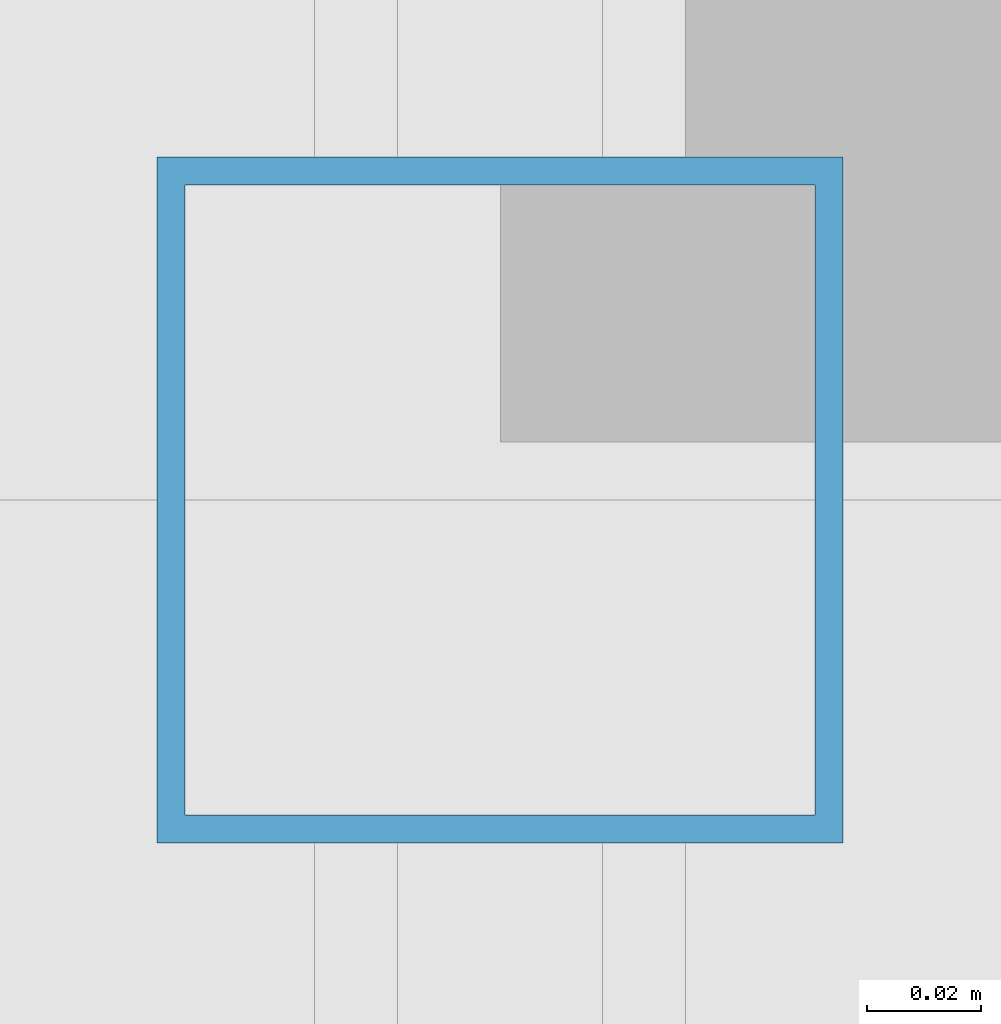
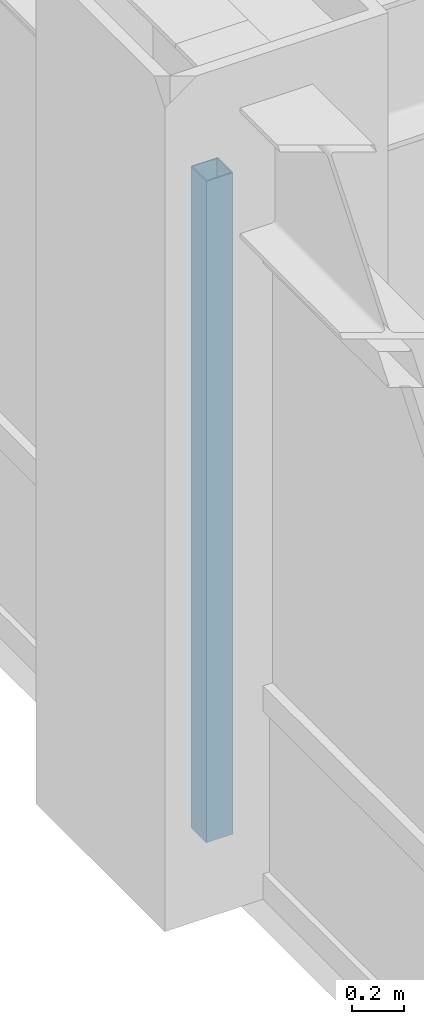
# One storey, part 6 of 25: 1 member, 1 element without a shape of its own.
"""IFC4 building model written with IfcOpenShell, lengths in metres."""

from ifc_helpers import new_model, si_unit, direction, frame, origin, origin_2d, place, context, subcontext, project, spatial, hollow_rectangle, extrude, source, transform, mapped, material, material_profile, profile_set, type_object, element, aggregate, save


model = new_model("IFC4")

# Units and contexts
model_context = context("Model", 3, precision=1e-05, world=origin(), true_north=direction((0.0, 1.0)))
body_context = subcontext(model_context, "Body", "Model", "MODEL_VIEW")
ifc_project = project(units=[si_unit("LENGTHUNIT", "METRE"), si_unit("AREAUNIT", "SQUARE_METRE"), si_unit("VOLUMEUNIT", "CUBIC_METRE"), si_unit("PLANEANGLEUNIT", "RADIAN"), si_unit("MASSUNIT", "GRAM", prefix="KILO")], contexts=[model_context])

# Site, building, storey
site_placement = place(None, origin())
site = spatial("IfcSite", under=ifc_project, at=site_placement, CompositionType="ELEMENT")
building_placement = place(site_placement, origin())
building = spatial("IfcBuilding", under=site, at=building_placement, Name="Khorayat Bourse Tower", CompositionType="ELEMENT")
storey_placement = place(building_placement, frame((0.0, 0.0, 227.10009765625)))
storey = spatial("IfcBuildingStorey", under=building, at=storey_placement, Name="L53", CompositionType="ELEMENT", Elevation=227.10009765625)

# Curtain wall, member
ifc_material = material(Name="Aluminium EN AW-6063 T6", Category="aluminium")
curtain_wall_type = type_object("IfcCurtainWallType", Name="CW-SYS-03", PredefinedType="NOTDEFINED", material=ifc_material)
curtain_wall_placement = place(storey_placement, origin())
curtain_wall = element("IfcCurtainWall", 1, at=curtain_wall_placement, inside=storey, type_object=curtain_wall_type, Name="L53 Curtain Wall CW-L53-W1", PredefinedType="NOTDEFINED")
ifc_material_profile = material_profile(ifc_material, hollow_rectangle(XDim=0.1201171875, YDim=0.1201171875, WallThickness=0.0048828125, at=origin_2d()), Name="ALU 120x120x5")
ifc_profile_set = profile_set([ifc_material_profile], Name="Aluminium EN AW-6063 T6")
member_type = type_object("IfcMemberType", Name="CWM-VERT-120", PredefinedType="MULLION", material=ifc_profile_set)
shared_shape = source(origin(), body_context, "Body", "SweptSolid", [
    extrude(hollow_rectangle(XDim=0.1201171875, YDim=0.1201171875, WallThickness=0.0048828125, at=origin_2d()), origin(), (0.0, 0.0, 1.0), 3.1298828125),
])
member_placement = place(storey_placement, frame((-30.0, 0.0, 0.0), z_axis=(0.0, 0.0, 1.0), x_axis=(-1.0, 0.0, 0.0)))
member = element("IfcMember", 2, at=member_placement, type_object=member_type, Name="CW-L53-W1 Vertical Mullion 2", PredefinedType="MULLION", context=body_context, shape_type="MappedRepresentation", body=[
    mapped(shared_shape, transform((0.0, 0.0, 0.0), scale=1.0)),
])
aggregate(curtain_wall, [member])

save(model, "model.ifc")
